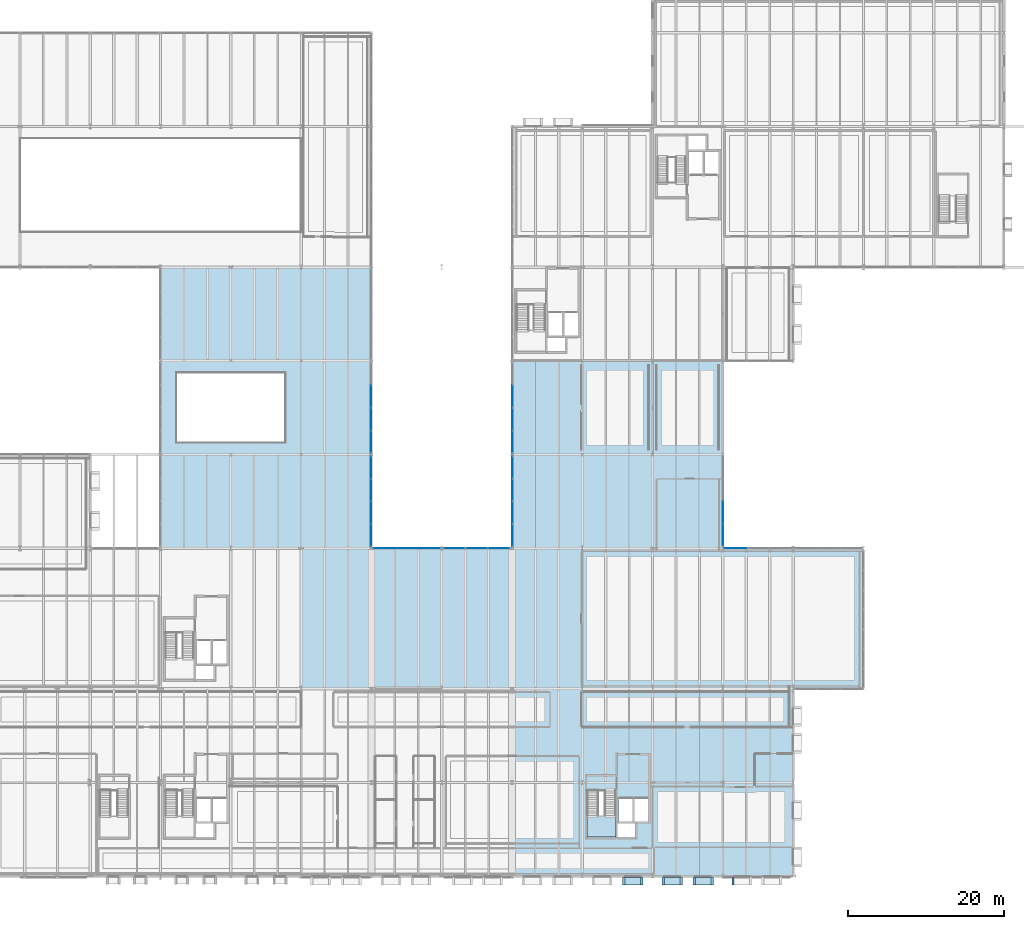
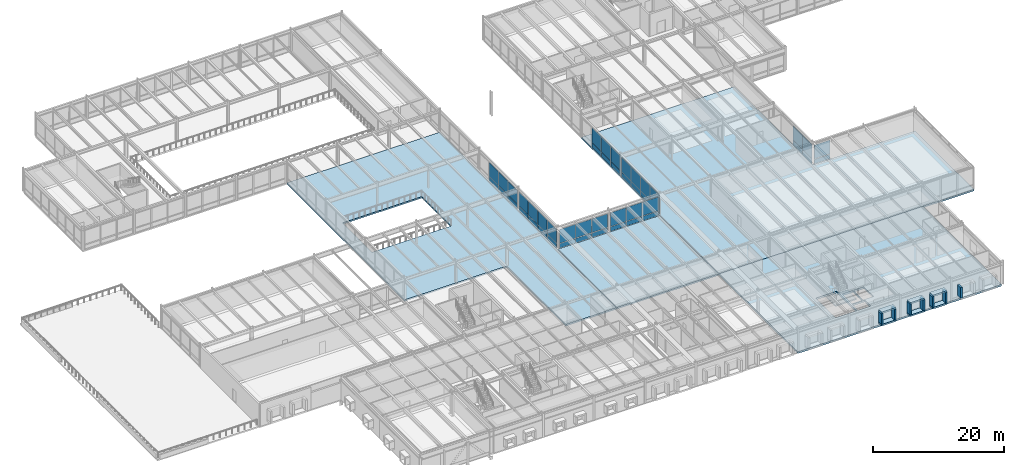
# One storey, part 97 of 127: 59 plates, 5 slabs, 9 elements without a shape of their own.
"""IFC4 building model written with IfcOpenShell, lengths in metres."""

import ifcopenshell
import ifcopenshell.guid

model = None  # the IFC model being written
_history = None  # IfcOwnerHistory: only IFC2X3 demands one
_inside = {}  # id of a spatial element -> (the spatial element, [elements in it])
_under = {}  # id of a project, library or spatial element -> (it, [spatial elements below it])
_declared = {}  # id of a project -> (the project, [libraries it declares])
_typed = {}  # id of a type object -> (the type object, [elements of that type])
_made_of = {}  # id of a material, layer set ... -> (it, [elements and type objects made of it])


def new_model(schema):
    """Start an empty IFC model of exactly this schema.

    Asked for "IFC4X3", IfcOpenShell would pick the latest addendum, in which some entities
    have other attributes; the version numbers below select the first issue.
    IFC2X3 requires an IfcOwnerHistory on every rooted entity: one is made here for all.
    """
    global model, _history
    if schema == "IFC4X3":
        model = ifcopenshell.file(schema_version=(4, 3, 0, 0))
    else:
        model = ifcopenshell.file(schema=schema)
    _inside.clear()
    _under.clear()
    _declared.clear()
    _typed.clear()
    _made_of.clear()
    _history = None
    if model.schema == "IFC2X3":
        org = make("IfcOrganization", Name="unknown")
        user = make(
            "IfcPersonAndOrganization",
            ThePerson=make("IfcPerson", FamilyName="unknown"),
            TheOrganization=org,
        )
        app = make(
            "IfcApplication",
            ApplicationDeveloper=org,
            Version="unknown",
            ApplicationFullName="unknown",
            ApplicationIdentifier="unknown",
        )
        _history = make(
            "IfcOwnerHistory",
            OwningUser=user,
            OwningApplication=app,
            ChangeAction="ADDED",
            CreationDate=0,
        )
    return model


def make(cls, **values):
    """One entity of the class cls with the attributes given. An attribute that is None is left unset."""
    return model.create_entity(
        cls, **{name: value for name, value in values.items() if value is not None}
    )


def rooted(cls, **values):
    """An entity with a GlobalId (a new one), such as an element, a storey or a relation."""
    return make(cls, GlobalId=ifcopenshell.guid.new(), OwnerHistory=_history, **values)


def si_unit(unit_type, name, prefix=None):
    """IfcSIUnit, for example si_unit("LENGTHUNIT", "METRE", prefix="MILLI")."""
    return make("IfcSIUnit", UnitType=unit_type, Prefix=prefix, Name=name)


def assignment(units):
    """IfcUnitAssignment: the units of a project."""
    return None if units is None else make("IfcUnitAssignment", Units=units)


def point(xyz):
    """IfcCartesianPoint."""
    return None if xyz is None else make("IfcCartesianPoint", Coordinates=xyz)


def direction(xyz):
    """IfcDirection."""
    return None if xyz is None else make("IfcDirection", DirectionRatios=xyz)


def frame(location, z_axis=None, x_axis=None):
    """IfcAxis2Placement3D, a coordinate frame: its origin and axes. An axis left out is left unset."""
    return make(
        "IfcAxis2Placement3D",
        Location=point(location),
        Axis=direction(z_axis),
        RefDirection=direction(x_axis),
    )


def frame_2d(location, x_axis=None):
    """IfcAxis2Placement2D, a coordinate frame in the plane: its origin and x axis."""
    return make(
        "IfcAxis2Placement2D", Location=point(location), RefDirection=direction(x_axis)
    )


def origin():
    """The frame at (0, 0, 0) with its axes left unset."""
    return frame((0.0, 0.0, 0.0))


def origin_2d():
    """The frame at (0, 0) in the plane with its x axis left unset."""
    return frame_2d((0.0, 0.0))


def place(relative_to, where):
    """IfcLocalPlacement: puts the frame where relative to a parent placement (None: the world)."""
    return make(
        "IfcLocalPlacement", PlacementRelTo=relative_to, RelativePlacement=where
    )


def context(
    kind, dimensions, precision=None, world=None, true_north=None, identifier=None
):
    """IfcGeometricRepresentationContext, for example the 3D "Model" context."""
    return make(
        "IfcGeometricRepresentationContext",
        ContextIdentifier=identifier,
        ContextType=kind,
        CoordinateSpaceDimension=dimensions,
        Precision=precision,
        WorldCoordinateSystem=world,
        TrueNorth=true_north,
    )


def subcontext(parent, identifier, kind, view, scale=None):
    """IfcGeometricRepresentationSubContext, for example "Body" below "Model"."""
    return make(
        "IfcGeometricRepresentationSubContext",
        ContextIdentifier=identifier,
        ContextType=kind,
        ParentContext=parent,
        TargetScale=scale,
        TargetView=view,
    )


def project(units=None, contexts=None):
    """IfcProject with its units and contexts."""
    return rooted(
        "IfcProject",
        Name="project",
        RepresentationContexts=contexts,
        UnitsInContext=assignment(units),
    )


def spatial(cls, under=None, at=None, **own):
    """A site, building, storey or space (cls), placed at a placement, below another one or the project."""
    s = rooted(cls, ObjectPlacement=at, **own)
    if under is not None:
        _under.setdefault(under.id(), (under, []))[1].append(s)
    return s


def polyline(points):
    """IfcPolyline through the points."""
    return make("IfcPolyline", Points=[point(p) for p in points])


def profile(cls, at=None, kind="AREA", **sizes):
    """A parametric profile (cls). Its sizes go by their IFC names, for example OverallWidth=200.0."""
    return make(cls, ProfileType=kind, Position=at, **sizes)


def rectangle(**sizes):
    """IfcRectangleProfileDef."""
    return profile("IfcRectangleProfileDef", **sizes)


def outline(outer, holes=None, kind="AREA"):
    """IfcArbitraryClosedProfileDef: a profile drawn as a closed curve; with holes, ...WithVoids."""
    if holes is None:
        return make("IfcArbitraryClosedProfileDef", ProfileType=kind, OuterCurve=outer)
    return make(
        "IfcArbitraryProfileDefWithVoids",
        ProfileType=kind,
        OuterCurve=outer,
        InnerCurves=holes,
    )


def extrude(swept, where, along, depth):
    """IfcExtrudedAreaSolid: the profile swept, set in the frame where, extruded along a direction by depth."""
    return make(
        "IfcExtrudedAreaSolid",
        SweptArea=swept,
        Position=where,
        ExtrudedDirection=direction(along),
        Depth=depth,
    )


def shape(context_of_items, identifier, shape_type, items):
    """IfcShapeRepresentation: the items that make up one representation, for example the "Body"."""
    return make(
        "IfcShapeRepresentation",
        ContextOfItems=context_of_items,
        RepresentationIdentifier=identifier,
        RepresentationType=shape_type,
        Items=items,
    )


def material(Name=None, Category=None):
    """IfcMaterial."""
    return make("IfcMaterial", Name=Name, Category=Category)


def layer(
    of_material, thickness, ventilated=None, Name=None, Category=None, Priority=None
):
    """IfcMaterialLayer: one layer of a wall or slab, of a material (None: an air gap)."""
    return make(
        "IfcMaterialLayer",
        Material=of_material,
        LayerThickness=thickness,
        IsVentilated=ventilated,
        Name=Name,
        Category=Category,
        Priority=Priority,
    )


def layer_set(layers, Name=None):
    """IfcMaterialLayerSet."""
    return make("IfcMaterialLayerSet", MaterialLayers=layers, LayerSetName=Name)


def made_of(thing, what):
    """Note that an element or type object is made of a material, layer set ...; save() writes the relation."""
    if what is not None:
        _made_of.setdefault(what.id(), (what, []))[1].append(thing)
    return thing


def type_object(cls, material=None, **own):
    """A type object (cls), such as IfcWallType, which elements share."""
    return made_of(rooted(cls, **own), material)


def element(
    cls,
    number,
    at=None,
    inside=None,
    cuts=None,
    type_object=None,
    material=None,
    context=None,
    identifier="Body",
    shape_type=None,
    held_by="IfcProductDefinitionShape",
    body=None,
    shapes=None,
    **own,
):
    """One element of the class cls, such as IfcWall. Its Tag is "e" and its number.

    at: its placement. inside: the storey or other place that contains it. cuts: it is an
    opening in that element (IfcRelVoidsElement). A single representation is given by context,
    identifier, shape_type and body (its items); several are given by shapes. held_by: the class
    of the entity that holds the representations. save() writes the other relations.
    """
    e = rooted(cls, Tag="e%d" % number, ObjectPlacement=at, **own)
    if body is not None:
        shapes = [shape(context, identifier, shape_type, body)]
    if shapes is not None:
        e.Representation = make(held_by, Representations=shapes)
    if inside is not None:
        _inside.setdefault(inside.id(), (inside, []))[1].append(e)
    if cuts is not None:
        rooted(
            "IfcRelVoidsElement", RelatingBuildingElement=cuts, RelatedOpeningElement=e
        )
    if type_object is not None:
        _typed.setdefault(type_object.id(), (type_object, []))[1].append(e)
    return made_of(e, material)


def aggregate(whole, parts):
    """IfcRelAggregates: a whole, such as a stair, and the parts it consists of."""
    return rooted("IfcRelAggregates", RelatingObject=whole, RelatedObjects=parts)


def save(model, path):
    """Write the relations noted so far, then the file.

    IfcRelAggregates (storeys below a building ...), IfcRelContainedInSpatialStructure (elements
    in a storey), IfcRelDefinesByType, IfcRelAssociatesMaterial and IfcRelDeclares: one each for
    every whole, place, type object, material and project.
    """
    for whole, parts in _under.values():
        aggregate(whole, parts)
    for where, things in _inside.values():
        rooted(
            "IfcRelContainedInSpatialStructure",
            RelatedElements=things,
            RelatingStructure=where,
        )
    for kind, things in _typed.values():
        rooted("IfcRelDefinesByType", RelatedObjects=things, RelatingType=kind)
    for what, things in _made_of.values():
        rooted("IfcRelAssociatesMaterial", RelatedObjects=things, RelatingMaterial=what)
    for by, libraries in _declared.values():
        rooted("IfcRelDeclares", RelatingContext=by, RelatedDefinitions=libraries)
    model.write(path)


model = new_model("IFC4")

# Units and contexts
model_context = context("Model", 3, precision=1e-05, world=origin(), true_north=direction((0.0, 1.0)))
body_context = subcontext(model_context, "Body", "Model", "MODEL_VIEW")
ifc_project = project(units=[si_unit("LENGTHUNIT", "METRE"), si_unit("AREAUNIT", "SQUARE_METRE"), si_unit("VOLUMEUNIT", "CUBIC_METRE"), si_unit("PLANEANGLEUNIT", "RADIAN"), si_unit("MASSUNIT", "GRAM", prefix="KILO")], contexts=[model_context])

# Site, building, storey
site_placement = place(None, origin())
site = spatial("IfcSite", under=ifc_project, at=site_placement, CompositionType="ELEMENT")
building_placement = place(site_placement, origin())
building = spatial("IfcBuilding", under=site, at=building_placement, Name="Montelvaro Courts of Justice", CompositionType="ELEMENT")
storey_placement = place(building_placement, frame((0.0, 0.0, 5.39990234375)))
storey = spatial("IfcBuildingStorey", under=building, at=storey_placement, Name="L01", CompositionType="ELEMENT", Elevation=5.39990234375)

# Curtain wall, plates
ifc_material_1 = material(Name="Anodised aluminium EN AW-6063", Category="aluminium")
ifc_layer_1 = layer(ifc_material_1, 0.159912109375)
ifc_layer_set_1 = layer_set([ifc_layer_1], Name="Anodised aluminium EN AW-6063")
curtain_wall_type_1 = type_object("IfcCurtainWallType", Name="CurtainWall_16_1165x418", PredefinedType="USERDEFINED", material=ifc_layer_set_1)
curtain_wall_1_placement = place(storey_placement, origin())
curtain_wall_1 = element("IfcCurtainWall", 1, at=curtain_wall_1_placement, inside=storey, type_object=curtain_wall_type_1, Name="Curtain Wall CW-16 (L01)", ObjectType="CURTAIN WALL", PredefinedType="USERDEFINED")
ifc_material_2 = material(Name="Acoustic laminated triple glazing", Category="glass")
ifc_layer_2 = layer(ifc_material_2, 0.035888671875)
ifc_layer_set_2 = layer_set([ifc_layer_2], Name="Acoustic laminated triple glazing")
plate_type_1 = type_object("IfcPlateType", Name="CurtainWall_Acoustic_Panel_36", PredefinedType="CURTAIN_PANEL", material=ifc_layer_set_2)
plate_1_placement = place(storey_placement, frame((80.949951171875, 43.6513671875, 0.06005859375), z_axis=(0.0, 0.0, 1.0), x_axis=(0.0, 1.0, 0.0)))
plate_1 = element("IfcPlate", 2, at=plate_1_placement, type_object=plate_type_1, Name="CW-16 panel 1.1", PredefinedType="CURTAIN_PANEL", context=body_context, shape_type="SweptSolid", body=[
    extrude(rectangle(XDim=2.799072265625, YDim=0.035888671875, at=origin_2d()), origin(), (0.0, 0.0, 1.0), 0.860107421875),
])
plate_2_placement = place(storey_placement, frame((80.949951171875, 43.6513671875, 0.97998046875), z_axis=(0.0, 0.0, 1.0), x_axis=(0.0, 1.0, 0.0)))
plate_2 = element("IfcPlate", 3, at=plate_2_placement, type_object=plate_type_1, Name="CW-16 panel 1.2", PredefinedType="CURTAIN_PANEL", context=body_context, shape_type="SweptSolid", body=[
    extrude(rectangle(XDim=2.799072265625, YDim=0.035888671875, at=origin_2d()), origin(), (0.0, 0.0, 1.0), 2.574951171875),
])
plate_3_placement = place(storey_placement, frame((80.949951171875, 46.544189453125, 0.06005859375), z_axis=(0.0, 0.0, 1.0), x_axis=(0.0, 1.0, 0.0)))
plate_3 = element("IfcPlate", 4, at=plate_3_placement, type_object=plate_type_1, Name="CW-16 panel 2.1", PredefinedType="CURTAIN_PANEL", context=body_context, shape_type="SweptSolid", body=[
    extrude(rectangle(XDim=2.836669921875, YDim=0.035888671875, at=origin_2d()), origin(), (0.0, 0.0, 1.0), 0.860107421875),
])
plate_4_placement = place(storey_placement, frame((80.949951171875, 46.544189453125, 0.97998046875), z_axis=(0.0, 0.0, 1.0), x_axis=(0.0, 1.0, 0.0)))
plate_4 = element("IfcPlate", 5, at=plate_4_placement, type_object=plate_type_1, Name="CW-16 panel 2.2", PredefinedType="CURTAIN_PANEL", context=body_context, shape_type="SweptSolid", body=[
    extrude(rectangle(XDim=2.836669921875, YDim=0.035888671875, at=origin_2d()), origin(), (0.0, 0.0, 1.0), 2.574951171875),
])
plate_5_placement = place(storey_placement, frame((80.949951171875, 49.455810546875, 0.06005859375), z_axis=(0.0, 0.0, 1.0), x_axis=(0.0, 1.0, 0.0)))
plate_5 = element("IfcPlate", 6, at=plate_5_placement, type_object=plate_type_1, Name="CW-16 panel 3.1", PredefinedType="CURTAIN_PANEL", context=body_context, shape_type="SweptSolid", body=[
    extrude(rectangle(XDim=2.836669921875, YDim=0.035888671875, at=origin_2d()), origin(), (0.0, 0.0, 1.0), 0.860107421875),
])
plate_6_placement = place(storey_placement, frame((80.949951171875, 49.455810546875, 0.97998046875), z_axis=(0.0, 0.0, 1.0), x_axis=(0.0, 1.0, 0.0)))
plate_6 = element("IfcPlate", 7, at=plate_6_placement, type_object=plate_type_1, Name="CW-16 panel 3.2", PredefinedType="CURTAIN_PANEL", context=body_context, shape_type="SweptSolid", body=[
    extrude(rectangle(XDim=2.836669921875, YDim=0.035888671875, at=origin_2d()), origin(), (0.0, 0.0, 1.0), 2.574951171875),
])
plate_7_placement = place(storey_placement, frame((80.949951171875, 52.3486328125, 0.06005859375), z_axis=(0.0, 0.0, 1.0), x_axis=(0.0, 1.0, 0.0)))
plate_7 = element("IfcPlate", 8, at=plate_7_placement, type_object=plate_type_1, Name="CW-16 panel 4.1", PredefinedType="CURTAIN_PANEL", context=body_context, shape_type="SweptSolid", body=[
    extrude(rectangle(XDim=2.799072265625, YDim=0.035888671875, at=origin_2d()), origin(), (0.0, 0.0, 1.0), 0.860107421875),
])
plate_8_placement = place(storey_placement, frame((80.949951171875, 52.3486328125, 0.97998046875), z_axis=(0.0, 0.0, 1.0), x_axis=(0.0, 1.0, 0.0)))
plate_8 = element("IfcPlate", 9, at=plate_8_placement, type_object=plate_type_1, Name="CW-16 panel 4.2", PredefinedType="CURTAIN_PANEL", context=body_context, shape_type="SweptSolid", body=[
    extrude(rectangle(XDim=2.799072265625, YDim=0.035888671875, at=origin_2d()), origin(), (0.0, 0.0, 1.0), 2.574951171875),
])
aggregate(curtain_wall_1, [plate_1, plate_2, plate_3, plate_4, plate_5, plate_6, plate_7, plate_8])

ifc_layer_3 = layer(ifc_material_1, 0.159912109375)
ifc_layer_set_3 = layer_set([ifc_layer_3], Name="Anodised aluminium EN AW-6063")
curtain_wall_type_2 = type_object("IfcCurtainWallType", Name="CurtainWall_14_867x418", PredefinedType="USERDEFINED", material=ifc_layer_set_3)
curtain_wall_2_placement = place(storey_placement, origin())
curtain_wall_2 = element("IfcCurtainWall", 10, at=curtain_wall_2_placement, inside=storey, type_object=curtain_wall_type_2, Name="Curtain Wall CW-14 (L01)", ObjectType="CURTAIN WALL", PredefinedType="USERDEFINED")
plate_9_placement = place(storey_placement, frame((127.625, 42.0, 0.0751953125), z_axis=(0.0, 0.0, 1.0), x_axis=(-1.0, 0.0, 0.0)))
plate_9 = element("IfcPlate", 11, at=plate_9_placement, type_object=plate_type_1, Name="CW-14 panel 3.1", PredefinedType="CURTAIN_PANEL", context=body_context, shape_type="SweptSolid", body=[
    extrude(rectangle(XDim=2.800048828125, YDim=0.035888671875, at=origin_2d()), origin(), (0.0, 0.0, 1.0), 0.83740234375),
])
plate_10_placement = place(storey_placement, frame((127.625, 42.0, 0.98779296875), z_axis=(0.0, 0.0, 1.0), x_axis=(-1.0, 0.0, 0.0)))
plate_10 = element("IfcPlate", 12, at=plate_10_placement, type_object=plate_type_1, Name="CW-14 panel 3.2", PredefinedType="CURTAIN_PANEL", context=body_context, shape_type="SweptSolid", body=[
    extrude(rectangle(XDim=2.800048828125, YDim=0.035888671875, at=origin_2d()), origin(), (0.0, 0.0, 1.0), 2.552490234375),
])
aggregate(curtain_wall_2, [plate_9, plate_10])

curtain_wall_3_placement = place(storey_placement, origin())
curtain_wall_3 = element("IfcCurtainWall", 13, at=curtain_wall_3_placement, inside=storey, type_object=curtain_wall_type_1, Name="Curtain Wall CW-16 (L01)", ObjectType="CURTAIN WALL", PredefinedType="USERDEFINED")
plate_11_placement = place(storey_placement, frame((99.050048828125, 61.44580078125, 0.06005859375), z_axis=(0.0, 0.0, 1.0), x_axis=(0.0, -1.0, 0.0)))
plate_11 = element("IfcPlate", 14, at=plate_11_placement, type_object=plate_type_1, Name="CW-16 panel 2.1", PredefinedType="CURTAIN_PANEL", context=body_context, shape_type="SweptSolid", body=[
    extrude(rectangle(XDim=2.842529296875, YDim=0.035888671875, at=origin_2d()), origin(), (0.0, 0.0, 1.0), 0.860107421875),
])
plate_12_placement = place(storey_placement, frame((99.050048828125, 61.44580078125, 0.97998046875), z_axis=(0.0, 0.0, 1.0), x_axis=(0.0, -1.0, 0.0)))
plate_12 = element("IfcPlate", 15, at=plate_12_placement, type_object=plate_type_1, Name="CW-16 panel 2.2", PredefinedType="CURTAIN_PANEL", context=body_context, shape_type="SweptSolid", body=[
    extrude(rectangle(XDim=2.842529296875, YDim=0.035888671875, at=origin_2d()), origin(), (0.0, 0.0, 1.0), 2.784912109375),
])
plate_13_placement = place(storey_placement, frame((99.050048828125, 58.538330078125, 0.06005859375), z_axis=(0.0, 0.0, 1.0), x_axis=(0.0, -1.0, 0.0)))
plate_13 = element("IfcPlate", 16, at=plate_13_placement, type_object=plate_type_1, Name="CW-16 panel 3.1", PredefinedType="CURTAIN_PANEL", context=body_context, shape_type="SweptSolid", body=[
    extrude(rectangle(XDim=2.842529296875, YDim=0.035888671875, at=origin_2d()), origin(), (0.0, 0.0, 1.0), 0.860107421875),
])
plate_14_placement = place(storey_placement, frame((99.050048828125, 58.538330078125, 0.97998046875), z_axis=(0.0, 0.0, 1.0), x_axis=(0.0, -1.0, 0.0)))
plate_14 = element("IfcPlate", 17, at=plate_14_placement, type_object=plate_type_1, Name="CW-16 panel 3.2", PredefinedType="CURTAIN_PANEL", context=body_context, shape_type="SweptSolid", body=[
    extrude(rectangle(XDim=2.842529296875, YDim=0.035888671875, at=origin_2d()), origin(), (0.0, 0.0, 1.0), 2.784912109375),
])
plate_15_placement = place(storey_placement, frame((99.050048828125, 55.64697265625, 0.06005859375), z_axis=(0.0, 0.0, 1.0), x_axis=(0.0, -1.0, 0.0)))
plate_15 = element("IfcPlate", 18, at=plate_15_placement, type_object=plate_type_1, Name="CW-16 panel 4.1", PredefinedType="CURTAIN_PANEL", context=body_context, shape_type="SweptSolid", body=[
    extrude(rectangle(XDim=2.81005859375, YDim=0.035888671875, at=origin_2d()), origin(), (0.0, 0.0, 1.0), 0.860107421875),
])
plate_16_placement = place(storey_placement, frame((99.050048828125, 55.64697265625, 0.97998046875), z_axis=(0.0, 0.0, 1.0), x_axis=(0.0, -1.0, 0.0)))
plate_16 = element("IfcPlate", 19, at=plate_16_placement, type_object=plate_type_1, Name="CW-16 panel 4.2", PredefinedType="CURTAIN_PANEL", context=body_context, shape_type="SweptSolid", body=[
    extrude(rectangle(XDim=2.81005859375, YDim=0.035888671875, at=origin_2d()), origin(), (0.0, 0.0, 1.0), 2.784912109375),
])
aggregate(curtain_wall_3, [plate_11, plate_12, plate_13, plate_14, plate_15, plate_16])

curtain_wall_4_placement = place(storey_placement, origin())
curtain_wall_4 = element("IfcCurtainWall", 20, at=curtain_wall_4_placement, inside=storey, type_object=curtain_wall_type_1, Name="Curtain Wall CW-16 (L01)", ObjectType="CURTAIN WALL", PredefinedType="USERDEFINED")
plate_17_placement = place(storey_placement, frame((99.050048828125, 52.3486328125, 0.06005859375), z_axis=(0.0, 0.0, 1.0), x_axis=(0.0, -1.0, 0.0)))
plate_17 = element("IfcPlate", 21, at=plate_17_placement, type_object=plate_type_1, Name="CW-16 panel 1.1", PredefinedType="CURTAIN_PANEL", context=body_context, shape_type="SweptSolid", body=[
    extrude(rectangle(XDim=2.799072265625, YDim=0.035888671875, at=origin_2d()), origin(), (0.0, 0.0, 1.0), 0.860107421875),
])
plate_18_placement = place(storey_placement, frame((99.050048828125, 52.3486328125, 0.97998046875), z_axis=(0.0, 0.0, 1.0), x_axis=(0.0, -1.0, 0.0)))
plate_18 = element("IfcPlate", 22, at=plate_18_placement, type_object=plate_type_1, Name="CW-16 panel 1.2", PredefinedType="CURTAIN_PANEL", context=body_context, shape_type="SweptSolid", body=[
    extrude(rectangle(XDim=2.799072265625, YDim=0.035888671875, at=origin_2d()), origin(), (0.0, 0.0, 1.0), 2.695068359375),
])
plate_19_placement = place(storey_placement, frame((99.050048828125, 49.455810546875, 0.06005859375), z_axis=(0.0, 0.0, 1.0), x_axis=(0.0, -1.0, 0.0)))
plate_19 = element("IfcPlate", 23, at=plate_19_placement, type_object=plate_type_1, Name="CW-16 panel 2.1", PredefinedType="CURTAIN_PANEL", context=body_context, shape_type="SweptSolid", body=[
    extrude(rectangle(XDim=2.836669921875, YDim=0.035888671875, at=origin_2d()), origin(), (0.0, 0.0, 1.0), 0.860107421875),
])
plate_20_placement = place(storey_placement, frame((99.050048828125, 49.455810546875, 0.97998046875), z_axis=(0.0, 0.0, 1.0), x_axis=(0.0, -1.0, 0.0)))
plate_20 = element("IfcPlate", 24, at=plate_20_placement, type_object=plate_type_1, Name="CW-16 panel 2.2", PredefinedType="CURTAIN_PANEL", context=body_context, shape_type="SweptSolid", body=[
    extrude(rectangle(XDim=2.836669921875, YDim=0.035888671875, at=origin_2d()), origin(), (0.0, 0.0, 1.0), 2.695068359375),
])
plate_21_placement = place(storey_placement, frame((99.050048828125, 46.544189453125, 0.06005859375), z_axis=(0.0, 0.0, 1.0), x_axis=(0.0, -1.0, 0.0)))
plate_21 = element("IfcPlate", 25, at=plate_21_placement, type_object=plate_type_1, Name="CW-16 panel 3.1", PredefinedType="CURTAIN_PANEL", context=body_context, shape_type="SweptSolid", body=[
    extrude(rectangle(XDim=2.836669921875, YDim=0.035888671875, at=origin_2d()), origin(), (0.0, 0.0, 1.0), 0.860107421875),
])
plate_22_placement = place(storey_placement, frame((99.050048828125, 46.544189453125, 0.97998046875), z_axis=(0.0, 0.0, 1.0), x_axis=(0.0, -1.0, 0.0)))
plate_22 = element("IfcPlate", 26, at=plate_22_placement, type_object=plate_type_1, Name="CW-16 panel 3.2", PredefinedType="CURTAIN_PANEL", context=body_context, shape_type="SweptSolid", body=[
    extrude(rectangle(XDim=2.836669921875, YDim=0.035888671875, at=origin_2d()), origin(), (0.0, 0.0, 1.0), 2.695068359375),
])
plate_23_placement = place(storey_placement, frame((99.050048828125, 43.6513671875, 0.06005859375), z_axis=(0.0, 0.0, 1.0), x_axis=(0.0, -1.0, 0.0)))
plate_23 = element("IfcPlate", 27, at=plate_23_placement, type_object=plate_type_1, Name="CW-16 panel 4.1", PredefinedType="CURTAIN_PANEL", context=body_context, shape_type="SweptSolid", body=[
    extrude(rectangle(XDim=2.799072265625, YDim=0.035888671875, at=origin_2d()), origin(), (0.0, 0.0, 1.0), 0.860107421875),
])
plate_24_placement = place(storey_placement, frame((99.050048828125, 43.6513671875, 0.97998046875), z_axis=(0.0, 0.0, 1.0), x_axis=(0.0, -1.0, 0.0)))
plate_24 = element("IfcPlate", 28, at=plate_24_placement, type_object=plate_type_1, Name="CW-16 panel 4.2", PredefinedType="CURTAIN_PANEL", context=body_context, shape_type="SweptSolid", body=[
    extrude(rectangle(XDim=2.799072265625, YDim=0.035888671875, at=origin_2d()), origin(), (0.0, 0.0, 1.0), 2.695068359375),
])
aggregate(curtain_wall_4, [plate_17, plate_18, plate_19, plate_20, plate_21, plate_22, plate_23, plate_24])

ifc_layer_4 = layer(ifc_material_1, 0.159912109375)
ifc_layer_set_4 = layer_set([ifc_layer_4], Name="Anodised aluminium EN AW-6063")
curtain_wall_type_3 = type_object("IfcCurtainWallType", Name="CurtainWall_17_861x418", PredefinedType="USERDEFINED", material=ifc_layer_set_4)
curtain_wall_5_placement = place(storey_placement, origin())
curtain_wall_5 = element("IfcCurtainWall", 29, at=curtain_wall_5_placement, inside=storey, type_object=curtain_wall_type_3, Name="Curtain Wall CW-17 (L01)", ObjectType="CURTAIN WALL", PredefinedType="USERDEFINED")
plate_25_placement = place(storey_placement, frame((88.38525390625, 42.0, 0.0751953125), z_axis=(0.0, 0.0, 1.0), x_axis=(-1.0, 0.0, 0.0)))
plate_25 = element("IfcPlate", 30, at=plate_25_placement, type_object=plate_type_1, Name="CW-17 panel 1.1", PredefinedType="CURTAIN_PANEL", context=body_context, shape_type="SweptSolid", body=[
    extrude(rectangle(XDim=2.779296875, YDim=0.035888671875, at=origin_2d()), origin(), (0.0, 0.0, 1.0), 0.83740234375),
])
plate_26_placement = place(storey_placement, frame((88.38525390625, 42.0, 0.98779296875), z_axis=(0.0, 0.0, 1.0), x_axis=(-1.0, 0.0, 0.0)))
plate_26 = element("IfcPlate", 31, at=plate_26_placement, type_object=plate_type_1, Name="CW-17 panel 1.2", PredefinedType="CURTAIN_PANEL", context=body_context, shape_type="SweptSolid", body=[
    extrude(rectangle(XDim=2.779296875, YDim=0.035888671875, at=origin_2d()), origin(), (0.0, 0.0, 1.0), 2.572509765625),
])
plate_27_placement = place(storey_placement, frame((85.531005859375, 42.0, 0.0751953125), z_axis=(0.0, 0.0, 1.0), x_axis=(-1.0, 0.0, 0.0)))
plate_27 = element("IfcPlate", 32, at=plate_27_placement, type_object=plate_type_1, Name="CW-17 panel 2.1", PredefinedType="CURTAIN_PANEL", context=body_context, shape_type="SweptSolid", body=[
    extrude(rectangle(XDim=2.809326171875, YDim=0.035888671875, at=origin_2d()), origin(), (0.0, 0.0, 1.0), 0.83740234375),
])
plate_28_placement = place(storey_placement, frame((85.531005859375, 42.0, 0.98779296875), z_axis=(0.0, 0.0, 1.0), x_axis=(-1.0, 0.0, 0.0)))
plate_28 = element("IfcPlate", 33, at=plate_28_placement, type_object=plate_type_1, Name="CW-17 panel 2.2", PredefinedType="CURTAIN_PANEL", context=body_context, shape_type="SweptSolid", body=[
    extrude(rectangle(XDim=2.809326171875, YDim=0.035888671875, at=origin_2d()), origin(), (0.0, 0.0, 1.0), 2.572509765625),
])
plate_29_placement = place(storey_placement, frame((82.6767578125, 42.0, 0.0751953125), z_axis=(0.0, 0.0, 1.0), x_axis=(-1.0, 0.0, 0.0)))
plate_29 = element("IfcPlate", 34, at=plate_29_placement, type_object=plate_type_1, Name="CW-17 panel 3.1", PredefinedType="CURTAIN_PANEL", context=body_context, shape_type="SweptSolid", body=[
    extrude(rectangle(XDim=2.779296875, YDim=0.035888671875, at=origin_2d()), origin(), (0.0, 0.0, 1.0), 0.83740234375),
])
plate_30_placement = place(storey_placement, frame((82.6767578125, 42.0, 0.98779296875), z_axis=(0.0, 0.0, 1.0), x_axis=(-1.0, 0.0, 0.0)))
plate_30 = element("IfcPlate", 35, at=plate_30_placement, type_object=plate_type_1, Name="CW-17 panel 3.2", PredefinedType="CURTAIN_PANEL", context=body_context, shape_type="SweptSolid", body=[
    extrude(rectangle(XDim=2.779296875, YDim=0.035888671875, at=origin_2d()), origin(), (0.0, 0.0, 1.0), 2.572509765625),
])
aggregate(curtain_wall_5, [plate_25, plate_26, plate_27, plate_28, plate_29, plate_30])

curtain_wall_6_placement = place(storey_placement, origin())
curtain_wall_6 = element("IfcCurtainWall", 36, at=curtain_wall_6_placement, inside=storey, type_object=curtain_wall_type_1, Name="Curtain Wall CW-16 (L01)", ObjectType="CURTAIN WALL", PredefinedType="USERDEFINED")
ifc_material_3 = material(Name="Insulated spandrel glazing", Category="glass")
ifc_layer_5 = layer(ifc_material_3, 0.048095703125)
ifc_layer_set_5 = layer_set([ifc_layer_5], Name="Insulated spandrel glazing")
plate_type_2 = type_object("IfcPlateType", Name="CurtainWall_Spandrel_Panel_48", PredefinedType="CURTAIN_PANEL", material=ifc_layer_set_5)
plate_31_placement = place(storey_placement, frame((80.949951171875, 55.6513671875, 0.06005859375), z_axis=(0.0, 0.0, 1.0), x_axis=(0.0, 1.0, 0.0)))
plate_31 = element("IfcPlate", 37, at=plate_31_placement, type_object=plate_type_2, Name="CW-16 panel 1.1", PredefinedType="CURTAIN_PANEL", context=body_context, shape_type="SweptSolid", body=[
    extrude(rectangle(XDim=2.799072265625, YDim=0.048095703125, at=origin_2d()), origin(), (0.0, 0.0, 1.0), 0.860107421875),
])
plate_32_placement = place(storey_placement, frame((80.949951171875, 55.6513671875, 0.97998046875), z_axis=(0.0, 0.0, 1.0), x_axis=(0.0, 1.0, 0.0)))
plate_32 = element("IfcPlate", 38, at=plate_32_placement, type_object=plate_type_2, Name="CW-16 panel 1.2", PredefinedType="CURTAIN_PANEL", context=body_context, shape_type="SweptSolid", body=[
    extrude(rectangle(XDim=2.799072265625, YDim=0.048095703125, at=origin_2d()), origin(), (0.0, 0.0, 1.0), 2.574951171875),
])
plate_33_placement = place(storey_placement, frame((80.949951171875, 58.544189453125, 0.06005859375), z_axis=(0.0, 0.0, 1.0), x_axis=(0.0, 1.0, 0.0)))
plate_33 = element("IfcPlate", 39, at=plate_33_placement, type_object=plate_type_2, Name="CW-16 panel 2.1", PredefinedType="CURTAIN_PANEL", context=body_context, shape_type="SweptSolid", body=[
    extrude(rectangle(XDim=2.83642578125, YDim=0.048095703125, at=origin_2d()), origin(), (0.0, 0.0, 1.0), 0.860107421875),
])
plate_34_placement = place(storey_placement, frame((80.949951171875, 58.544189453125, 0.97998046875), z_axis=(0.0, 0.0, 1.0), x_axis=(0.0, 1.0, 0.0)))
plate_34 = element("IfcPlate", 40, at=plate_34_placement, type_object=plate_type_2, Name="CW-16 panel 2.2", PredefinedType="CURTAIN_PANEL", context=body_context, shape_type="SweptSolid", body=[
    extrude(rectangle(XDim=2.83642578125, YDim=0.048095703125, at=origin_2d()), origin(), (0.0, 0.0, 1.0), 2.574951171875),
])
plate_35_placement = place(storey_placement, frame((80.949951171875, 61.455810546875, 0.06005859375), z_axis=(0.0, 0.0, 1.0), x_axis=(0.0, 1.0, 0.0)))
plate_35 = element("IfcPlate", 41, at=plate_35_placement, type_object=plate_type_2, Name="CW-16 panel 3.1", PredefinedType="CURTAIN_PANEL", context=body_context, shape_type="SweptSolid", body=[
    extrude(rectangle(XDim=2.83642578125, YDim=0.048095703125, at=origin_2d()), origin(), (0.0, 0.0, 1.0), 0.860107421875),
])
plate_36_placement = place(storey_placement, frame((80.949951171875, 61.455810546875, 0.97998046875), z_axis=(0.0, 0.0, 1.0), x_axis=(0.0, 1.0, 0.0)))
plate_36 = element("IfcPlate", 42, at=plate_36_placement, type_object=plate_type_2, Name="CW-16 panel 3.2", PredefinedType="CURTAIN_PANEL", context=body_context, shape_type="SweptSolid", body=[
    extrude(rectangle(XDim=2.83642578125, YDim=0.048095703125, at=origin_2d()), origin(), (0.0, 0.0, 1.0), 2.574951171875),
])
aggregate(curtain_wall_6, [plate_31, plate_32, plate_33, plate_34, plate_35, plate_36])

ifc_layer_6 = layer(ifc_material_1, 0.159912109375)
ifc_layer_set_6 = layer_set([ifc_layer_6], Name="Anodised aluminium EN AW-6063")
curtain_wall_type_4 = type_object("IfcCurtainWallType", Name="CurtainWall_23_1154x418", PredefinedType="USERDEFINED", material=ifc_layer_set_6)
curtain_wall_7_placement = place(storey_placement, origin())
curtain_wall_7 = element("IfcCurtainWall", 43, at=curtain_wall_7_placement, inside=storey, type_object=curtain_wall_type_4, Name="Curtain Wall CW-23 (L01)", ObjectType="CURTAIN WALL", PredefinedType="USERDEFINED")
plate_37_placement = place(storey_placement, frame((126.0, 43.726318359375, 0.06005859375), z_axis=(0.0, 0.0, 1.0), x_axis=(0.0, 1.0, 0.0)))
plate_37 = element("IfcPlate", 44, at=plate_37_placement, type_object=plate_type_2, Name="CW-23 panel 1.1", PredefinedType="CURTAIN_PANEL", context=body_context, shape_type="SweptSolid", body=[
    extrude(rectangle(XDim=2.802490234375, YDim=0.048095703125, at=origin_2d()), origin(), (0.0, 0.0, 1.0), 0.860107421875),
])
plate_38_placement = place(storey_placement, frame((126.0, 43.726318359375, 0.97998046875), z_axis=(0.0, 0.0, 1.0), x_axis=(0.0, 1.0, 0.0)))
plate_38 = element("IfcPlate", 45, at=plate_38_placement, type_object=plate_type_2, Name="CW-23 panel 1.2", PredefinedType="CURTAIN_PANEL", context=body_context, shape_type="SweptSolid", body=[
    extrude(rectangle(XDim=2.802490234375, YDim=0.048095703125, at=origin_2d()), origin(), (0.0, 0.0, 1.0), 2.625),
])
plate_39_placement = place(storey_placement, frame((126.0, 46.603759765625, 0.06005859375), z_axis=(0.0, 0.0, 1.0), x_axis=(0.0, 1.0, 0.0)))
plate_39 = element("IfcPlate", 46, at=plate_39_placement, type_object=plate_type_2, Name="CW-23 panel 2.1", PredefinedType="CURTAIN_PANEL", context=body_context, shape_type="SweptSolid", body=[
    extrude(rectangle(XDim=2.83251953125, YDim=0.048095703125, at=origin_2d()), origin(), (0.0, 0.0, 1.0), 0.860107421875),
])
plate_40_placement = place(storey_placement, frame((126.0, 46.603759765625, 0.97998046875), z_axis=(0.0, 0.0, 1.0), x_axis=(0.0, 1.0, 0.0)))
plate_40 = element("IfcPlate", 47, at=plate_40_placement, type_object=plate_type_2, Name="CW-23 panel 2.2", PredefinedType="CURTAIN_PANEL", context=body_context, shape_type="SweptSolid", body=[
    extrude(rectangle(XDim=2.83251953125, YDim=0.048095703125, at=origin_2d()), origin(), (0.0, 0.0, 1.0), 2.625),
])
aggregate(curtain_wall_7, [plate_37, plate_38, plate_39, plate_40])

curtain_wall_8_placement = place(storey_placement, origin())
curtain_wall_8 = element("IfcCurtainWall", 48, at=curtain_wall_8_placement, inside=storey, type_object=curtain_wall_type_3, Name="Curtain Wall CW-17 (L01)", ObjectType="CURTAIN WALL", PredefinedType="USERDEFINED")
plate_41_placement = place(storey_placement, frame((97.319580078125, 42.0, 0.0751953125), z_axis=(0.0, 0.0, 1.0), x_axis=(-1.0, 0.0, 0.0)))
plate_41 = element("IfcPlate", 49, at=plate_41_placement, type_object=plate_type_2, Name="CW-17 panel 1.1", PredefinedType="CURTAIN_PANEL", context=body_context, shape_type="SweptSolid", body=[
    extrude(rectangle(XDim=2.7568359375, YDim=0.048095703125, at=origin_2d()), origin(), (0.0, 0.0, 1.0), 0.83740234375),
])
plate_42_placement = place(storey_placement, frame((97.319580078125, 42.0, 0.98779296875), z_axis=(0.0, 0.0, 1.0), x_axis=(-1.0, 0.0, 0.0)))
plate_42 = element("IfcPlate", 50, at=plate_42_placement, type_object=plate_type_2, Name="CW-17 panel 1.2", PredefinedType="CURTAIN_PANEL", context=body_context, shape_type="SweptSolid", body=[
    extrude(rectangle(XDim=2.7568359375, YDim=0.048095703125, at=origin_2d()), origin(), (0.0, 0.0, 1.0), 2.572509765625),
])
plate_43_placement = place(storey_placement, frame((94.468994140625, 42.0, 0.0751953125), z_axis=(0.0, 0.0, 1.0), x_axis=(-1.0, 0.0, 0.0)))
plate_43 = element("IfcPlate", 51, at=plate_43_placement, type_object=plate_type_2, Name="CW-17 panel 2.1", PredefinedType="CURTAIN_PANEL", context=body_context, shape_type="SweptSolid", body=[
    extrude(rectangle(XDim=2.79443359375, YDim=0.048095703125, at=origin_2d()), origin(), (0.0, 0.0, 1.0), 0.83740234375),
])
plate_44_placement = place(storey_placement, frame((94.468994140625, 42.0, 0.98779296875), z_axis=(0.0, 0.0, 1.0), x_axis=(-1.0, 0.0, 0.0)))
plate_44 = element("IfcPlate", 52, at=plate_44_placement, type_object=plate_type_2, Name="CW-17 panel 2.2", PredefinedType="CURTAIN_PANEL", context=body_context, shape_type="SweptSolid", body=[
    extrude(rectangle(XDim=2.79443359375, YDim=0.048095703125, at=origin_2d()), origin(), (0.0, 0.0, 1.0), 2.572509765625),
])
plate_45_placement = place(storey_placement, frame((91.618408203125, 42.0, 0.0751953125), z_axis=(0.0, 0.0, 1.0), x_axis=(-1.0, 0.0, 0.0)))
plate_45 = element("IfcPlate", 53, at=plate_45_placement, type_object=plate_type_2, Name="CW-17 panel 3.1", PredefinedType="CURTAIN_PANEL", context=body_context, shape_type="SweptSolid", body=[
    extrude(rectangle(XDim=2.7568359375, YDim=0.048095703125, at=origin_2d()), origin(), (0.0, 0.0, 1.0), 0.83740234375),
])
plate_46_placement = place(storey_placement, frame((91.618408203125, 42.0, 0.98779296875), z_axis=(0.0, 0.0, 1.0), x_axis=(-1.0, 0.0, 0.0)))
plate_46 = element("IfcPlate", 54, at=plate_46_placement, type_object=plate_type_2, Name="CW-17 panel 3.2", PredefinedType="CURTAIN_PANEL", context=body_context, shape_type="SweptSolid", body=[
    extrude(rectangle(XDim=2.7568359375, YDim=0.048095703125, at=origin_2d()), origin(), (0.0, 0.0, 1.0), 2.572509765625),
])
aggregate(curtain_wall_8, [plate_41, plate_42, plate_43, plate_44, plate_45, plate_46])

# Slabs
ifc_material_4 = material(Name="Concrete C35/45", Category="concrete")
ifc_layer_7 = layer(ifc_material_4, 0.260009765625)
ifc_layer_set_7 = layer_set([ifc_layer_7], Name="Concrete C35/45")
slab_type_1 = type_object("IfcSlabType", Name="FloorSlab_260", PredefinedType="FLOOR", material=ifc_layer_set_7)
slab_1_placement = place(storey_placement, frame((0.0, 0.0, -0.260009765625)))
element("IfcSlab", 55, at=slab_1_placement, inside=storey, type_object=slab_type_1, Name="Structural Slab SF-07 L01", PredefinedType="FLOOR", context=body_context, shape_type="SweptSolid", body=[
    extrude(outline(polyline([(81.050048828125, 24.0), (98.949951171875, 24.0), (98.949951171875, 42.0), (81.050048828125, 42.0), (81.050048828125, 24.0)])), origin(), (0.0, 0.0, 1.0), 0.260009765625),
])
ifc_layer_8 = layer(ifc_material_4, 0.280029296875)
ifc_layer_set_8 = layer_set([ifc_layer_8], Name="Concrete C35/45")
slab_type_2 = type_object("IfcSlabType", Name="FloorSlab_280", PredefinedType="FLOOR", material=ifc_layer_set_8)
slab_2_placement = place(storey_placement, frame((0.0, 0.0, -0.27978515625)))
element("IfcSlab", 56, at=slab_2_placement, inside=storey, type_object=slab_type_2, Name="Structural Slab SF-04 L01", PredefinedType="FLOOR", context=body_context, shape_type="SweptSolid", body=[
    extrude(outline(polyline([(72.0, 24.0), (80.949951171875, 24.0), (80.949951171875, 78.0), (54.0, 78.0), (54.0, 42.0), (72.0, 42.0), (72.0, 24.0)]), holes=[polyline([(56.0, 55.5), (70.0, 55.5), (70.0, 64.5), (56.0, 64.5), (56.0, 55.5)])]), origin(), (0.0, 0.0, 1.0), 0.27978515625),
])
slab_3_placement = place(storey_placement, frame((0.0, 0.0, -0.27978515625)))
element("IfcSlab", 57, at=slab_3_placement, inside=storey, type_object=slab_type_2, Name="Structural Slab SF-04 L01", PredefinedType="FLOOR", context=body_context, shape_type="SweptSolid", body=[
    extrude(outline(polyline([(99.050048828125, 24.0), (144.0, 24.0), (144.0, 42.0), (126.0, 42.0), (126.0, 66.0), (99.050048828125, 66.0), (99.050048828125, 24.0)])), origin(), (0.0, 0.0, 1.0), 0.27978515625),
])
ifc_layer_9 = layer(ifc_material_4, 0.320068359375)
ifc_layer_set_9 = layer_set([ifc_layer_9], Name="Concrete C35/45")
slab_type_3 = type_object("IfcSlabType", Name="FloorSlab_V5_320", PredefinedType="FLOOR", material=ifc_layer_set_9)
slab_4_placement = place(storey_placement, frame((0.0, 0.0, -0.31982421875)))
element("IfcSlab", 58, at=slab_4_placement, inside=storey, type_object=slab_type_3, Name="Structural Slab SF-05 L01", PredefinedType="FLOOR", context=body_context, shape_type="SweptSolid", body=[
    extrude(outline(polyline([(99.050048828125, 0.0), (135.0, 0.0), (135.0, 24.0), (99.050048828125, 24.0), (99.050048828125, 0.0)]), holes=[polyline([(108.60009765625, 5.0), (112.300048828125, 5.0), (112.300048828125, 11.0), (108.60009765625, 11.0), (108.60009765625, 5.0)]), polyline([(112.5400390625, 5.0), (114.800048828125, 5.0), (114.800048828125, 6.760009765625), (112.5400390625, 6.760009765625), (112.5400390625, 5.0)]), polyline([(112.64990234375, 7.0), (114.5, 7.0), (114.5, 9.89990234375), (112.64990234375, 9.89990234375), (112.64990234375, 7.0)]), polyline([(114.60009765625, 7.0), (116.449951171875, 7.0), (116.449951171875, 9.89990234375), (114.60009765625, 9.89990234375), (114.60009765625, 7.0)])]), origin(), (0.0, 0.0, 1.0), 0.31982421875),
])

# Plates
ifc_material_5 = material(Name="White mineral precast concrete C45/55", Category="concrete")
ifc_layer_10 = layer(ifc_material_5, 0.300048828125)
ifc_layer_set_10 = layer_set([ifc_layer_10], Name="White mineral precast concrete C45/55")
plate_type_3 = type_object("IfcPlateType", Name="PrecastSquareFrame_300x950", PredefinedType="SHEET", material=ifc_layer_set_10)
for number, where, z_axis, x_axis, name in (
    (59, (114.47607421875, -0.6201171875, 2.80029296875), (0.0, 0.0, 1.0), (1.0, 0.0, 0.0), "Graduated Square Window Frame PF-02 W-L01-069 TOP"),
    (60, (114.47607421875, -0.6201171875, 0.5), (0.0, 0.0, 1.0), (1.0, 0.0, 0.0), "Graduated Square Window Frame PF-02 W-L01-069 BOT"),
):
    element("IfcPlate", number, at=place(storey_placement, frame(where, z_axis=z_axis, x_axis=x_axis)), inside=storey, type_object=plate_type_3, Name=name, PredefinedType="SHEET", context=body_context, shape_type="SweptSolid", body=[
        extrude(rectangle(XDim=2.60009765625, YDim=0.9599609375, at=origin_2d()), origin(), (0.0, 0.0, 1.0), 0.300048828125),
    ])
for number, where, z_axis, x_axis, name in (
    (61, (113.325927734375, -0.6201171875, 0.800048828125), (0.0, 0.0, 1.0), (1.0, 0.0, 0.0), "Graduated Square Window Frame PF-02 W-L01-069 L"),
    (62, (115.6259765625, -0.6201171875, 0.800048828125), (0.0, 0.0, 1.0), (1.0, 0.0, 0.0), "Graduated Square Window Frame PF-02 W-L01-069 R"),
):
    element("IfcPlate", number, at=place(storey_placement, frame(where, z_axis=z_axis, x_axis=x_axis)), inside=storey, type_object=plate_type_3, Name=name, PredefinedType="SHEET", context=body_context, shape_type="SweptSolid", body=[
        extrude(rectangle(XDim=0.300048828125, YDim=0.9599609375, at=origin_2d()), origin(), (0.0, 0.0, 1.0), 2.0),
    ])
for number, where, z_axis, x_axis, name in (
    (63, (119.52392578125, -0.6201171875, 2.80029296875), (0.0, 0.0, 1.0), (1.0, 0.0, 0.0), "Graduated Square Window Frame PF-02 W-L01-070 TOP"),
    (64, (119.52392578125, -0.6201171875, 0.5), (0.0, 0.0, 1.0), (1.0, 0.0, 0.0), "Graduated Square Window Frame PF-02 W-L01-070 BOT"),
):
    element("IfcPlate", number, at=place(storey_placement, frame(where, z_axis=z_axis, x_axis=x_axis)), inside=storey, type_object=plate_type_3, Name=name, PredefinedType="SHEET", context=body_context, shape_type="SweptSolid", body=[
        extrude(rectangle(XDim=2.60009765625, YDim=0.9599609375, at=origin_2d()), origin(), (0.0, 0.0, 1.0), 0.300048828125),
    ])
for number, where, z_axis, x_axis, name in (
    (65, (118.3740234375, -0.6201171875, 0.800048828125), (0.0, 0.0, 1.0), (1.0, 0.0, 0.0), "Graduated Square Window Frame PF-02 W-L01-070 L"),
    (66, (120.674072265625, -0.6201171875, 0.800048828125), (0.0, 0.0, 1.0), (1.0, 0.0, 0.0), "Graduated Square Window Frame PF-02 W-L01-070 R"),
):
    element("IfcPlate", number, at=place(storey_placement, frame(where, z_axis=z_axis, x_axis=x_axis)), inside=storey, type_object=plate_type_3, Name=name, PredefinedType="SHEET", context=body_context, shape_type="SweptSolid", body=[
        extrude(rectangle(XDim=0.300048828125, YDim=0.9599609375, at=origin_2d()), origin(), (0.0, 0.0, 1.0), 2.0),
    ])
for number, where, z_axis, x_axis, name in (
    (67, (123.47607421875, -0.6201171875, 2.80029296875), (0.0, 0.0, 1.0), (1.0, 0.0, 0.0), "Graduated Square Window Frame PF-02 W-L01-071 TOP"),
    (68, (123.47607421875, -0.6201171875, 0.5), (0.0, 0.0, 1.0), (1.0, 0.0, 0.0), "Graduated Square Window Frame PF-02 W-L01-071 BOT"),
):
    element("IfcPlate", number, at=place(storey_placement, frame(where, z_axis=z_axis, x_axis=x_axis)), inside=storey, type_object=plate_type_3, Name=name, PredefinedType="SHEET", context=body_context, shape_type="SweptSolid", body=[
        extrude(rectangle(XDim=2.60009765625, YDim=0.9599609375, at=origin_2d()), origin(), (0.0, 0.0, 1.0), 0.300048828125),
    ])
for number, where, z_axis, x_axis, name in (
    (69, (122.325927734375, -0.6201171875, 0.800048828125), (0.0, 0.0, 1.0), (1.0, 0.0, 0.0), "Graduated Square Window Frame PF-02 W-L01-071 L"),
    (70, (124.6259765625, -0.6201171875, 0.800048828125), (0.0, 0.0, 1.0), (1.0, 0.0, 0.0), "Graduated Square Window Frame PF-02 W-L01-071 R"),
    (71, (127.2900390625, -0.6201171875, 0.800048828125), (0.0, 0.0, 1.0), (1.0, 0.0, 0.0), "Graduated Square Window Frame PF-02 W-L01-072 L"),
):
    element("IfcPlate", number, at=place(storey_placement, frame(where, z_axis=z_axis, x_axis=x_axis)), inside=storey, type_object=plate_type_3, Name=name, PredefinedType="SHEET", context=body_context, shape_type="SweptSolid", body=[
        extrude(rectangle(XDim=0.300048828125, YDim=0.9599609375, at=origin_2d()), origin(), (0.0, 0.0, 1.0), 2.0),
    ])

# Stair, slab
stair_type = type_object("IfcStairType", Name="ProtectedStair_145", PredefinedType="HALF_TURN_STAIR", material=ifc_material_4)
stair_placement = place(storey_placement, origin())
stair = element("IfcStair", 72, at=stair_placement, inside=storey, type_object=stair_type, Name="Protected Stair ST-K2-L01", PredefinedType="HALF_TURN_STAIR")
ifc_layer_11 = layer(ifc_material_4, 0.199951171875)
ifc_layer_set_11 = layer_set([ifc_layer_11], Name="Concrete C35/45")
slab_type_4 = type_object("IfcSlabType", Name="StairLanding_200", PredefinedType="LANDING", material=ifc_layer_set_11)
slab_5_placement = place(storey_placement, frame((0.0, 0.0, 2.050048828125)))
slab_5 = element("IfcSlab", 73, at=slab_5_placement, type_object=slab_type_4, Name="ST-K2-L01 landing 1", PredefinedType="LANDING", context=body_context, shape_type="SweptSolid", body=[
    extrude(outline(polyline([(108.60009765625, 5.0), (112.300048828125, 5.0), (112.300048828125, 7.735107421875), (108.60009765625, 7.735107421875), (108.60009765625, 5.0)])), origin(), (0.0, 0.0, 1.0), 0.199951171875),
])
aggregate(stair, [slab_5])

save(model, "model.ifc")
